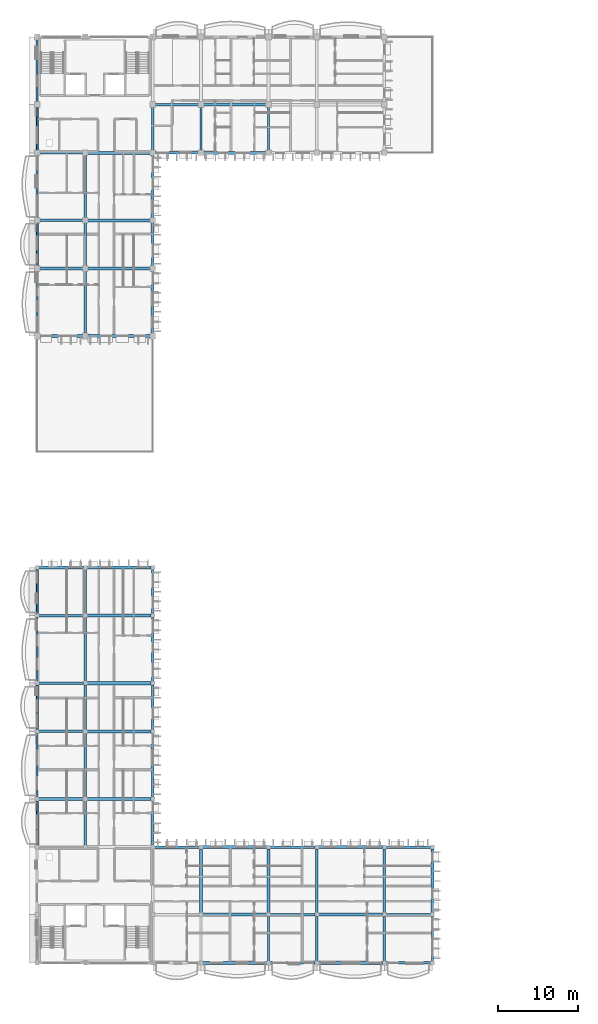
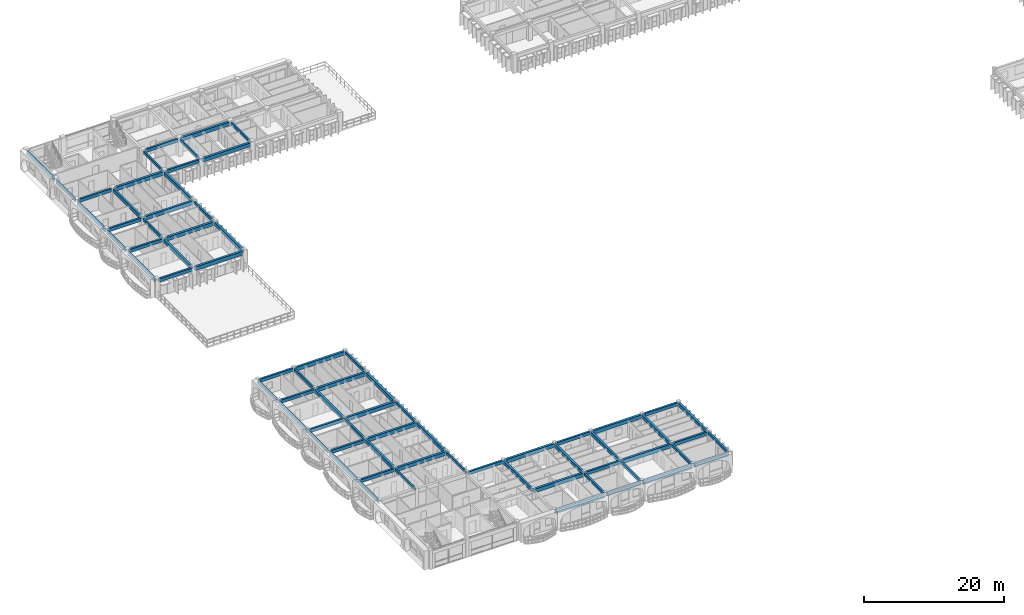
# One storey, part 4 of 66: 73 beams.
"""IFC4 building model written with IfcOpenShell, lengths in metres."""

import ifcopenshell
import ifcopenshell.guid

model = None  # the IFC model being written
_history = None  # IfcOwnerHistory: only IFC2X3 demands one
_inside = {}  # id of a spatial element -> (the spatial element, [elements in it])
_under = {}  # id of a project, library or spatial element -> (it, [spatial elements below it])
_declared = {}  # id of a project -> (the project, [libraries it declares])
_typed = {}  # id of a type object -> (the type object, [elements of that type])
_made_of = {}  # id of a material, layer set ... -> (it, [elements and type objects made of it])


def new_model(schema):
    """Start an empty IFC model of exactly this schema.

    Asked for "IFC4X3", IfcOpenShell would pick the latest addendum, in which some entities
    have other attributes; the version numbers below select the first issue.
    IFC2X3 requires an IfcOwnerHistory on every rooted entity: one is made here for all.
    """
    global model, _history
    if schema == "IFC4X3":
        model = ifcopenshell.file(schema_version=(4, 3, 0, 0))
    else:
        model = ifcopenshell.file(schema=schema)
    _inside.clear()
    _under.clear()
    _declared.clear()
    _typed.clear()
    _made_of.clear()
    _history = None
    if model.schema == "IFC2X3":
        org = make("IfcOrganization", Name="unknown")
        user = make(
            "IfcPersonAndOrganization",
            ThePerson=make("IfcPerson", FamilyName="unknown"),
            TheOrganization=org,
        )
        app = make(
            "IfcApplication",
            ApplicationDeveloper=org,
            Version="unknown",
            ApplicationFullName="unknown",
            ApplicationIdentifier="unknown",
        )
        _history = make(
            "IfcOwnerHistory",
            OwningUser=user,
            OwningApplication=app,
            ChangeAction="ADDED",
            CreationDate=0,
        )
    return model


def make(cls, **values):
    """One entity of the class cls with the attributes given. An attribute that is None is left unset."""
    return model.create_entity(
        cls, **{name: value for name, value in values.items() if value is not None}
    )


def rooted(cls, **values):
    """An entity with a GlobalId (a new one), such as an element, a storey or a relation."""
    return make(cls, GlobalId=ifcopenshell.guid.new(), OwnerHistory=_history, **values)


def si_unit(unit_type, name, prefix=None):
    """IfcSIUnit, for example si_unit("LENGTHUNIT", "METRE", prefix="MILLI")."""
    return make("IfcSIUnit", UnitType=unit_type, Prefix=prefix, Name=name)


def assignment(units):
    """IfcUnitAssignment: the units of a project."""
    return None if units is None else make("IfcUnitAssignment", Units=units)


def point(xyz):
    """IfcCartesianPoint."""
    return None if xyz is None else make("IfcCartesianPoint", Coordinates=xyz)


def direction(xyz):
    """IfcDirection."""
    return None if xyz is None else make("IfcDirection", DirectionRatios=xyz)


def frame(location, z_axis=None, x_axis=None):
    """IfcAxis2Placement3D, a coordinate frame: its origin and axes. An axis left out is left unset."""
    return make(
        "IfcAxis2Placement3D",
        Location=point(location),
        Axis=direction(z_axis),
        RefDirection=direction(x_axis),
    )


def frame_2d(location, x_axis=None):
    """IfcAxis2Placement2D, a coordinate frame in the plane: its origin and x axis."""
    return make(
        "IfcAxis2Placement2D", Location=point(location), RefDirection=direction(x_axis)
    )


def origin():
    """The frame at (0, 0, 0) with its axes left unset."""
    return frame((0.0, 0.0, 0.0))


def origin_2d():
    """The frame at (0, 0) in the plane with its x axis left unset."""
    return frame_2d((0.0, 0.0))


def place(relative_to, where):
    """IfcLocalPlacement: puts the frame where relative to a parent placement (None: the world)."""
    return make(
        "IfcLocalPlacement", PlacementRelTo=relative_to, RelativePlacement=where
    )


def context(
    kind, dimensions, precision=None, world=None, true_north=None, identifier=None
):
    """IfcGeometricRepresentationContext, for example the 3D "Model" context."""
    return make(
        "IfcGeometricRepresentationContext",
        ContextIdentifier=identifier,
        ContextType=kind,
        CoordinateSpaceDimension=dimensions,
        Precision=precision,
        WorldCoordinateSystem=world,
        TrueNorth=true_north,
    )


def subcontext(parent, identifier, kind, view, scale=None):
    """IfcGeometricRepresentationSubContext, for example "Body" below "Model"."""
    return make(
        "IfcGeometricRepresentationSubContext",
        ContextIdentifier=identifier,
        ContextType=kind,
        ParentContext=parent,
        TargetScale=scale,
        TargetView=view,
    )


def project(units=None, contexts=None):
    """IfcProject with its units and contexts."""
    return rooted(
        "IfcProject",
        Name="project",
        RepresentationContexts=contexts,
        UnitsInContext=assignment(units),
    )


def spatial(cls, under=None, at=None, **own):
    """A site, building, storey or space (cls), placed at a placement, below another one or the project."""
    s = rooted(cls, ObjectPlacement=at, **own)
    if under is not None:
        _under.setdefault(under.id(), (under, []))[1].append(s)
    return s


def profile(cls, at=None, kind="AREA", **sizes):
    """A parametric profile (cls). Its sizes go by their IFC names, for example OverallWidth=200.0."""
    return make(cls, ProfileType=kind, Position=at, **sizes)


def rectangle(**sizes):
    """IfcRectangleProfileDef."""
    return profile("IfcRectangleProfileDef", **sizes)


def extrude(swept, where, along, depth):
    """IfcExtrudedAreaSolid: the profile swept, set in the frame where, extruded along a direction by depth."""
    return make(
        "IfcExtrudedAreaSolid",
        SweptArea=swept,
        Position=where,
        ExtrudedDirection=direction(along),
        Depth=depth,
    )


def shape(context_of_items, identifier, shape_type, items):
    """IfcShapeRepresentation: the items that make up one representation, for example the "Body"."""
    return make(
        "IfcShapeRepresentation",
        ContextOfItems=context_of_items,
        RepresentationIdentifier=identifier,
        RepresentationType=shape_type,
        Items=items,
    )


def material(Name=None, Category=None):
    """IfcMaterial."""
    return make("IfcMaterial", Name=Name, Category=Category)


def material_profile(
    of_material, cross_section, Name=None, Category=None, Priority=None
):
    """IfcMaterialProfile: a cross section and its material."""
    return make(
        "IfcMaterialProfile",
        Name=Name,
        Material=of_material,
        Profile=cross_section,
        Priority=Priority,
        Category=Category,
    )


def profile_set(profiles, Name=None, composite=None):
    """IfcMaterialProfileSet."""
    return make(
        "IfcMaterialProfileSet",
        Name=Name,
        MaterialProfiles=profiles,
        CompositeProfile=composite,
    )


def made_of(thing, what):
    """Note that an element or type object is made of a material, layer set ...; save() writes the relation."""
    if what is not None:
        _made_of.setdefault(what.id(), (what, []))[1].append(thing)
    return thing


def type_object(cls, material=None, **own):
    """A type object (cls), such as IfcWallType, which elements share."""
    return made_of(rooted(cls, **own), material)


def element(
    cls,
    number,
    at=None,
    inside=None,
    cuts=None,
    type_object=None,
    material=None,
    context=None,
    identifier="Body",
    shape_type=None,
    held_by="IfcProductDefinitionShape",
    body=None,
    shapes=None,
    **own,
):
    """One element of the class cls, such as IfcWall. Its Tag is "e" and its number.

    at: its placement. inside: the storey or other place that contains it. cuts: it is an
    opening in that element (IfcRelVoidsElement). A single representation is given by context,
    identifier, shape_type and body (its items); several are given by shapes. held_by: the class
    of the entity that holds the representations. save() writes the other relations.
    """
    e = rooted(cls, Tag="e%d" % number, ObjectPlacement=at, **own)
    if body is not None:
        shapes = [shape(context, identifier, shape_type, body)]
    if shapes is not None:
        e.Representation = make(held_by, Representations=shapes)
    if inside is not None:
        _inside.setdefault(inside.id(), (inside, []))[1].append(e)
    if cuts is not None:
        rooted(
            "IfcRelVoidsElement", RelatingBuildingElement=cuts, RelatedOpeningElement=e
        )
    if type_object is not None:
        _typed.setdefault(type_object.id(), (type_object, []))[1].append(e)
    return made_of(e, material)


def aggregate(whole, parts):
    """IfcRelAggregates: a whole, such as a stair, and the parts it consists of."""
    return rooted("IfcRelAggregates", RelatingObject=whole, RelatedObjects=parts)


def save(model, path):
    """Write the relations noted so far, then the file.

    IfcRelAggregates (storeys below a building ...), IfcRelContainedInSpatialStructure (elements
    in a storey), IfcRelDefinesByType, IfcRelAssociatesMaterial and IfcRelDeclares: one each for
    every whole, place, type object, material and project.
    """
    for whole, parts in _under.values():
        aggregate(whole, parts)
    for where, things in _inside.values():
        rooted(
            "IfcRelContainedInSpatialStructure",
            RelatedElements=things,
            RelatingStructure=where,
        )
    for kind, things in _typed.values():
        rooted("IfcRelDefinesByType", RelatedObjects=things, RelatingType=kind)
    for what, things in _made_of.values():
        rooted("IfcRelAssociatesMaterial", RelatedObjects=things, RelatingMaterial=what)
    for by, libraries in _declared.values():
        rooted("IfcRelDeclares", RelatingContext=by, RelatedDefinitions=libraries)
    model.write(path)


model = new_model("IFC4")

# Units and contexts
model_context = context("Model", 3, precision=1e-05, world=origin(), true_north=direction((0.0, 1.0)))
body_context = subcontext(model_context, "Body", "Model", "MODEL_VIEW")
ifc_project = project(units=[si_unit("LENGTHUNIT", "METRE"), si_unit("AREAUNIT", "SQUARE_METRE"), si_unit("VOLUMEUNIT", "CUBIC_METRE"), si_unit("PLANEANGLEUNIT", "RADIAN"), si_unit("MASSUNIT", "GRAM", prefix="KILO"), si_unit("THERMODYNAMICTEMPERATUREUNIT", "KELVIN")], contexts=[model_context])

# Site, building, storey
site_placement = place(None, origin())
site = spatial("IfcSite", under=ifc_project, at=site_placement, CompositionType="ELEMENT")
building_placement = place(site_placement, origin())
building = spatial("IfcBuilding", under=site, at=building_placement, Name="Thalorik Housing Commons", CompositionType="ELEMENT")
storey_placement = place(building_placement, frame((0.0, 0.0, 21.300048828125)))
storey = spatial("IfcBuildingStorey", under=building, at=storey_placement, Name="L06", CompositionType="ELEMENT", Elevation=21.300048828125)

# Beams
ifc_material = material(Name="Precast concrete C40/50", Category="concrete")
ifc_material_profile_1 = material_profile(ifc_material, rectangle(XDim=0.280029296875, YDim=0.449951171875, at=origin_2d()), Name="PC 280x450", Category="concrete")
ifc_profile_set_1 = profile_set([ifc_material_profile_1], Name="Precast concrete C40/50")
beam_type_1 = type_object("IfcBeamType", Name="STR-BM-PC280x450", PredefinedType="BEAM", material=ifc_profile_set_1)
for number, where, z_axis, x_axis, name in (
    (1, (14.39990234375, 23.0, 2.81494140625), (0.0, 1.0, 0.0), (-1.0, 0.0, 0.0), "L06 Beam B-450"),
    (2, (14.39990234375, 37.39990234375, 2.81494140625), (0.0, 1.0, 0.0), (-1.0, 0.0, 0.0), "L06 Beam B-450"),
):
    element("IfcBeam", number, at=place(storey_placement, frame(where, z_axis=z_axis, x_axis=x_axis)), inside=storey, type_object=beam_type_1, Name=name, PredefinedType="BEAM", context=body_context, shape_type="SweptSolid", body=[
        extrude(rectangle(XDim=0.280029296875, YDim=0.449951171875, at=origin_2d()), origin(), (0.0, 0.0, 1.0), 5.60009765625),
    ])
beam_1_placement = place(storey_placement, frame((14.39990234375, 51.800048828125, 2.81494140625), z_axis=(0.0, 1.0, 0.0), x_axis=(-1.0, 0.0, 0.0)))
element("IfcBeam", 3, at=beam_1_placement, inside=storey, type_object=beam_type_1, Name="L06 Beam B-450", PredefinedType="BEAM", context=body_context, shape_type="SweptSolid", body=[
    extrude(rectangle(XDim=0.280029296875, YDim=0.449951171875, at=origin_2d()), origin(), (0.0, 0.0, 1.0), 5.599853515625),
])
beam_2_placement = place(storey_placement, frame((14.39990234375, 95.10009765625, 2.81494140625), z_axis=(0.0, 1.0, 0.0), x_axis=(-1.0, 0.0, 0.0)))
element("IfcBeam", 4, at=beam_2_placement, inside=storey, type_object=beam_type_1, Name="L06 Beam B-450", PredefinedType="BEAM", context=body_context, shape_type="SweptSolid", body=[
    extrude(rectangle(XDim=0.280029296875, YDim=0.449951171875, at=origin_2d()), origin(), (0.0, 0.0, 1.0), 5.39990234375),
])
for number, where, z_axis, x_axis, name in (
    (5, (22.800048828125, 23.0, 2.81494140625), (0.0, 1.0, 0.0), (-1.0, 0.0, 0.0), "L06 Beam B-450"),
    (6, (22.800048828125, 37.39990234375, 2.81494140625), (0.0, 1.0, 0.0), (-1.0, 0.0, 0.0), "L06 Beam B-450"),
):
    element("IfcBeam", number, at=place(storey_placement, frame(where, z_axis=z_axis, x_axis=x_axis)), inside=storey, type_object=beam_type_1, Name=name, PredefinedType="BEAM", context=body_context, shape_type="SweptSolid", body=[
        extrude(rectangle(XDim=0.280029296875, YDim=0.449951171875, at=origin_2d()), origin(), (0.0, 0.0, 1.0), 5.60009765625),
    ])
beam_3_placement = place(storey_placement, frame((22.800048828125, 51.800048828125, 2.81494140625), z_axis=(0.0, 1.0, 0.0), x_axis=(-1.0, 0.0, 0.0)))
element("IfcBeam", 7, at=beam_3_placement, inside=storey, type_object=beam_type_1, Name="L06 Beam B-450", PredefinedType="BEAM", context=body_context, shape_type="SweptSolid", body=[
    extrude(rectangle(XDim=0.280029296875, YDim=0.449951171875, at=origin_2d()), origin(), (0.0, 0.0, 1.0), 5.599853515625),
])
for number, where, z_axis, x_axis, name in (
    (8, (22.800048828125, 95.10009765625, 2.81494140625), (0.0, 1.0, 0.0), (-1.0, 0.0, 0.0), "L06 Beam B-450"),
    (9, (22.800048828125, 109.5, 2.81494140625), (0.0, 1.0, 0.0), (-1.0, 0.0, 0.0), "L06 Beam B-450"),
    (10, (28.800048828125, 109.5, 2.81494140625), (0.0, 1.0, 0.0), (-1.0, 0.0, 0.0), "L06 Beam B-450"),
):
    element("IfcBeam", number, at=place(storey_placement, frame(where, z_axis=z_axis, x_axis=x_axis)), inside=storey, type_object=beam_type_1, Name=name, PredefinedType="BEAM", context=body_context, shape_type="SweptSolid", body=[
        extrude(rectangle(XDim=0.280029296875, YDim=0.449951171875, at=origin_2d()), origin(), (0.0, 0.0, 1.0), 5.39990234375),
    ])
beam_4_placement = place(storey_placement, frame((37.199951171875, 8.60009765625, 2.81494140625), z_axis=(0.0, 1.0, 0.0), x_axis=(-1.0, 0.0, 0.0)))
element("IfcBeam", 11, at=beam_4_placement, inside=storey, type_object=beam_type_1, Name="L06 Beam B-450", PredefinedType="BEAM", context=body_context, shape_type="SweptSolid", body=[
    extrude(rectangle(XDim=0.280029296875, YDim=0.449951171875, at=origin_2d()), origin(), (0.0, 0.0, 1.0), 5.599853515625),
])
beam_5_placement = place(storey_placement, frame((37.199951171875, 109.5, 2.81494140625), z_axis=(0.0, 1.0, 0.0), x_axis=(-1.0, 0.0, 0.0)))
element("IfcBeam", 12, at=beam_5_placement, inside=storey, type_object=beam_type_1, Name="L06 Beam B-450", PredefinedType="BEAM", context=body_context, shape_type="SweptSolid", body=[
    extrude(rectangle(XDim=0.280029296875, YDim=0.449951171875, at=origin_2d()), origin(), (0.0, 0.0, 1.0), 5.39990234375),
])
for number, where, z_axis, x_axis, name in (
    (13, (43.199951171875, 8.60009765625, 2.81494140625), (0.0, 1.0, 0.0), (-1.0, 0.0, 0.0), "L06 Beam B-450"),
    (14, (51.60009765625, 8.60009765625, 2.81494140625), (0.0, 1.0, 0.0), (-1.0, 0.0, 0.0), "L06 Beam B-450"),
    (15, (57.60009765625, 8.60009765625, 2.81494140625), (0.0, 1.0, 0.0), (-1.0, 0.0, 0.0), "L06 Beam B-450"),
):
    element("IfcBeam", number, at=place(storey_placement, frame(where, z_axis=z_axis, x_axis=x_axis)), inside=storey, type_object=beam_type_1, Name=name, PredefinedType="BEAM", context=body_context, shape_type="SweptSolid", body=[
        extrude(rectangle(XDim=0.280029296875, YDim=0.449951171875, at=origin_2d()), origin(), (0.0, 0.0, 1.0), 5.599853515625),
    ])
ifc_material_profile_2 = material_profile(ifc_material, rectangle(XDim=0.320068359375, YDim=0.550048828125, at=origin_2d()), Name="PC 320x550", Category="concrete")
ifc_profile_set_2 = profile_set([ifc_material_profile_2], Name="Precast concrete C40/50")
beam_type_2 = type_object("IfcBeamType", Name="STR-BM-PC320x550", PredefinedType="BEAM", material=ifc_profile_set_2)
beam_6_placement = place(storey_placement, frame((37.39990234375, 8.39990234375, 2.764892578125), z_axis=(1.0, 0.0, 0.0), x_axis=(0.0, 1.0, 0.0)))
element("IfcBeam", 16, at=beam_6_placement, inside=storey, type_object=beam_type_2, Name="L06 Beam B-550", PredefinedType="BEAM", context=body_context, shape_type="SweptSolid", body=[
    extrude(rectangle(XDim=0.320068359375, YDim=0.550048828125, at=origin_2d()), origin(), (0.0, 0.0, 1.0), 5.60009765625),
])
beam_7_placement = place(storey_placement, frame((51.800048828125, 8.39990234375, 2.764892578125), z_axis=(1.0, 0.0, 0.0), x_axis=(0.0, 1.0, 0.0)))
element("IfcBeam", 17, at=beam_7_placement, inside=storey, type_object=beam_type_2, Name="L06 Beam B-550", PredefinedType="BEAM", context=body_context, shape_type="SweptSolid", body=[
    extrude(rectangle(XDim=0.320068359375, YDim=0.550048828125, at=origin_2d()), origin(), (0.0, 0.0, 1.0), 5.599853515625),
])
beam_8_placement = place(storey_placement, frame((37.39990234375, 14.39990234375, 2.764892578125), z_axis=(1.0, 0.0, 0.0), x_axis=(0.0, 1.0, 0.0)))
element("IfcBeam", 18, at=beam_8_placement, inside=storey, type_object=beam_type_2, Name="L06 Beam B-550", PredefinedType="BEAM", context=body_context, shape_type="SweptSolid", body=[
    extrude(rectangle(XDim=0.320068359375, YDim=0.550048828125, at=origin_2d()), origin(), (0.0, 0.0, 1.0), 5.60009765625),
])
beam_9_placement = place(storey_placement, frame((51.800048828125, 14.39990234375, 2.764892578125), z_axis=(1.0, 0.0, 0.0), x_axis=(0.0, 1.0, 0.0)))
element("IfcBeam", 19, at=beam_9_placement, inside=storey, type_object=beam_type_2, Name="L06 Beam B-550", PredefinedType="BEAM", context=body_context, shape_type="SweptSolid", body=[
    extrude(rectangle(XDim=0.320068359375, YDim=0.550048828125, at=origin_2d()), origin(), (0.0, 0.0, 1.0), 5.599853515625),
])
for number, where, z_axis, x_axis, name in (
    (20, (23.0, 22.800048828125, 2.764892578125), (1.0, 0.0, 0.0), (0.0, 1.0, 0.0), "L06 Beam B-550"),
    (21, (37.39990234375, 22.800048828125, 2.764892578125), (1.0, 0.0, 0.0), (0.0, 1.0, 0.0), "L06 Beam B-550"),
):
    element("IfcBeam", number, at=place(storey_placement, frame(where, z_axis=z_axis, x_axis=x_axis)), inside=storey, type_object=beam_type_2, Name=name, PredefinedType="BEAM", context=body_context, shape_type="SweptSolid", body=[
        extrude(rectangle(XDim=0.320068359375, YDim=0.550048828125, at=origin_2d()), origin(), (0.0, 0.0, 1.0), 5.60009765625),
    ])
for number, where, z_axis, x_axis, name in (
    (22, (51.800048828125, 22.800048828125, 2.764892578125), (1.0, 0.0, 0.0), (0.0, 1.0, 0.0), "L06 Beam B-550"),
    (23, (8.60009765625, 28.800048828125, 2.764892578125), (1.0, 0.0, 0.0), (0.0, 1.0, 0.0), "L06 Beam B-550"),
    (24, (8.60009765625, 37.199951171875, 2.764892578125), (1.0, 0.0, 0.0), (0.0, 1.0, 0.0), "L06 Beam B-550"),
    (25, (8.60009765625, 43.199951171875, 2.764892578125), (1.0, 0.0, 0.0), (0.0, 1.0, 0.0), "L06 Beam B-550"),
    (26, (8.60009765625, 51.60009765625, 2.764892578125), (1.0, 0.0, 0.0), (0.0, 1.0, 0.0), "L06 Beam B-550"),
    (27, (8.60009765625, 57.60009765625, 2.764892578125), (1.0, 0.0, 0.0), (0.0, 1.0, 0.0), "L06 Beam B-550"),
):
    element("IfcBeam", number, at=place(storey_placement, frame(where, z_axis=z_axis, x_axis=x_axis)), inside=storey, type_object=beam_type_2, Name=name, PredefinedType="BEAM", context=body_context, shape_type="SweptSolid", body=[
        extrude(rectangle(XDim=0.320068359375, YDim=0.550048828125, at=origin_2d()), origin(), (0.0, 0.0, 1.0), 5.599853515625),
    ])
for number, where, z_axis, x_axis, name in (
    (28, (8.699951171875, 86.39990234375, 2.764892578125), (1.0, 0.0, 0.0), (0.0, 1.0, 0.0), "L06 Beam B-550"),
    (29, (8.699951171875, 94.800048828125, 2.764892578125), (1.0, 0.0, 0.0), (0.0, 1.0, 0.0), "L06 Beam B-550"),
    (30, (8.699951171875, 100.800048828125, 2.764892578125), (1.0, 0.0, 0.0), (0.0, 1.0, 0.0), "L06 Beam B-550"),
    (31, (8.699951171875, 109.199951171875, 2.764892578125), (1.0, 0.0, 0.0), (0.0, 1.0, 0.0), "L06 Beam B-550"),
):
    element("IfcBeam", number, at=place(storey_placement, frame(where, z_axis=z_axis, x_axis=x_axis)), inside=storey, type_object=beam_type_2, Name=name, PredefinedType="BEAM", context=body_context, shape_type="SweptSolid", body=[
        extrude(rectangle(XDim=0.320068359375, YDim=0.550048828125, at=origin_2d()), origin(), (0.0, 0.0, 1.0), 5.400146484375),
    ])
for number, where, z_axis, x_axis, name in (
    (32, (23.10009765625, 109.199951171875, 2.764892578125), (1.0, 0.0, 0.0), (0.0, 1.0, 0.0), "L06 Beam B-550"),
    (33, (23.10009765625, 115.199951171875, 2.764892578125), (1.0, 0.0, 0.0), (0.0, 1.0, 0.0), "L06 Beam B-550"),
):
    element("IfcBeam", number, at=place(storey_placement, frame(where, z_axis=z_axis, x_axis=x_axis)), inside=storey, type_object=beam_type_2, Name=name, PredefinedType="BEAM", context=body_context, shape_type="SweptSolid", body=[
        extrude(rectangle(XDim=0.320068359375, YDim=0.550048828125, at=origin_2d()), origin(), (0.0, 0.0, 1.0), 5.39990234375),
    ])
ifc_material_profile_3 = material_profile(ifc_material, rectangle(XDim=0.35009765625, YDim=0.60009765625, at=origin_2d()), Name="PC 350x600", Category="concrete")
ifc_profile_set_3 = profile_set([ifc_material_profile_3], Name="Precast concrete C40/50")
beam_type_3 = type_object("IfcBeamType", Name="STR-BM-PC350x600", PredefinedType="BEAM", material=ifc_profile_set_3)
for number, where, z_axis, x_axis, name in (
    (34, (14.39990234375, 29.0, 2.739990234375), (0.0, 1.0, 0.0), (-1.0, 0.0, 0.0), "L06 Beam B-600"),
    (35, (14.39990234375, 43.39990234375, 2.739990234375), (0.0, 1.0, 0.0), (-1.0, 0.0, 0.0), "L06 Beam B-600"),
):
    element("IfcBeam", number, at=place(storey_placement, frame(where, z_axis=z_axis, x_axis=x_axis)), inside=storey, type_object=beam_type_3, Name=name, PredefinedType="BEAM", context=body_context, shape_type="SweptSolid", body=[
        extrude(rectangle(XDim=0.35009765625, YDim=0.60009765625, at=origin_2d()), origin(), (0.0, 0.0, 1.0), 8.0),
    ])
beam_10_placement = place(storey_placement, frame((14.39990234375, 86.699951171875, 2.739990234375), z_axis=(0.0, 1.0, 0.0), x_axis=(-1.0, 0.0, 0.0)))
element("IfcBeam", 36, at=beam_10_placement, inside=storey, type_object=beam_type_3, Name="L06 Beam B-600", PredefinedType="BEAM", context=body_context, shape_type="SweptSolid", body=[
    extrude(rectangle(XDim=0.35009765625, YDim=0.60009765625, at=origin_2d()), origin(), (0.0, 0.0, 1.0), 7.800048828125),
])
beam_11_placement = place(storey_placement, frame((14.39990234375, 101.10009765625, 2.739990234375), z_axis=(0.0, 1.0, 0.0), x_axis=(-1.0, 0.0, 0.0)))
element("IfcBeam", 37, at=beam_11_placement, inside=storey, type_object=beam_type_3, Name="L06 Beam B-600", PredefinedType="BEAM", context=body_context, shape_type="SweptSolid", body=[
    extrude(rectangle(XDim=0.35009765625, YDim=0.60009765625, at=origin_2d()), origin(), (0.0, 0.0, 1.0), 7.7998046875),
])
for number, where, z_axis, x_axis, name in (
    (38, (22.800048828125, 29.0, 2.739990234375), (0.0, 1.0, 0.0), (-1.0, 0.0, 0.0), "L06 Beam B-600"),
    (39, (22.800048828125, 43.39990234375, 2.739990234375), (0.0, 1.0, 0.0), (-1.0, 0.0, 0.0), "L06 Beam B-600"),
):
    element("IfcBeam", number, at=place(storey_placement, frame(where, z_axis=z_axis, x_axis=x_axis)), inside=storey, type_object=beam_type_3, Name=name, PredefinedType="BEAM", context=body_context, shape_type="SweptSolid", body=[
        extrude(rectangle(XDim=0.35009765625, YDim=0.60009765625, at=origin_2d()), origin(), (0.0, 0.0, 1.0), 8.0),
    ])
beam_12_placement = place(storey_placement, frame((22.800048828125, 86.699951171875, 2.739990234375), z_axis=(0.0, 1.0, 0.0), x_axis=(-1.0, 0.0, 0.0)))
element("IfcBeam", 40, at=beam_12_placement, inside=storey, type_object=beam_type_3, Name="L06 Beam B-600", PredefinedType="BEAM", context=body_context, shape_type="SweptSolid", body=[
    extrude(rectangle(XDim=0.35009765625, YDim=0.60009765625, at=origin_2d()), origin(), (0.0, 0.0, 1.0), 7.800048828125),
])
beam_13_placement = place(storey_placement, frame((22.800048828125, 101.10009765625, 2.739990234375), z_axis=(0.0, 1.0, 0.0), x_axis=(-1.0, 0.0, 0.0)))
element("IfcBeam", 41, at=beam_13_placement, inside=storey, type_object=beam_type_3, Name="L06 Beam B-600", PredefinedType="BEAM", context=body_context, shape_type="SweptSolid", body=[
    extrude(rectangle(XDim=0.35009765625, YDim=0.60009765625, at=origin_2d()), origin(), (0.0, 0.0, 1.0), 7.7998046875),
])
for number, where, z_axis, x_axis, name in (
    (42, (28.800048828125, 14.60009765625, 2.739990234375), (0.0, 1.0, 0.0), (-1.0, 0.0, 0.0), "L06 Beam B-600"),
    (43, (37.199951171875, 14.60009765625, 2.739990234375), (0.0, 1.0, 0.0), (-1.0, 0.0, 0.0), "L06 Beam B-600"),
    (44, (43.199951171875, 14.60009765625, 2.739990234375), (0.0, 1.0, 0.0), (-1.0, 0.0, 0.0), "L06 Beam B-600"),
    (45, (51.60009765625, 14.60009765625, 2.739990234375), (0.0, 1.0, 0.0), (-1.0, 0.0, 0.0), "L06 Beam B-600"),
    (46, (57.60009765625, 14.60009765625, 2.739990234375), (0.0, 1.0, 0.0), (-1.0, 0.0, 0.0), "L06 Beam B-600"),
):
    element("IfcBeam", number, at=place(storey_placement, frame(where, z_axis=z_axis, x_axis=x_axis)), inside=storey, type_object=beam_type_3, Name=name, PredefinedType="BEAM", context=body_context, shape_type="SweptSolid", body=[
        extrude(rectangle(XDim=0.35009765625, YDim=0.60009765625, at=origin_2d()), origin(), (0.0, 0.0, 1.0), 8.0),
    ])
ifc_material_profile_4 = material_profile(ifc_material, rectangle(XDim=0.3798828125, YDim=0.64990234375, at=origin_2d()), Name="PC 380x650", Category="concrete")
ifc_profile_set_4 = profile_set([ifc_material_profile_4], Name="Precast concrete C40/50")
beam_type_4 = type_object("IfcBeamType", Name="STR-BM-PC380x650", PredefinedType="BEAM", material=ifc_profile_set_4)
for number, where, z_axis, x_axis, name in (
    (47, (29.0, 8.39990234375, 2.71484375), (1.0, 0.0, 0.0), (0.0, 1.0, 0.0), "L06 Beam B-650"),
    (48, (43.39990234375, 8.39990234375, 2.71484375), (1.0, 0.0, 0.0), (0.0, 1.0, 0.0), "L06 Beam B-650"),
    (49, (29.0, 14.39990234375, 2.71484375), (1.0, 0.0, 0.0), (0.0, 1.0, 0.0), "L06 Beam B-650"),
    (50, (43.39990234375, 14.39990234375, 2.71484375), (1.0, 0.0, 0.0), (0.0, 1.0, 0.0), "L06 Beam B-650"),
    (51, (29.0, 22.800048828125, 2.71484375), (1.0, 0.0, 0.0), (0.0, 1.0, 0.0), "L06 Beam B-650"),
    (52, (43.39990234375, 22.800048828125, 2.71484375), (1.0, 0.0, 0.0), (0.0, 1.0, 0.0), "L06 Beam B-650"),
    (53, (14.60009765625, 28.800048828125, 2.71484375), (1.0, 0.0, 0.0), (0.0, 1.0, 0.0), "L06 Beam B-650"),
    (54, (14.60009765625, 37.199951171875, 2.71484375), (1.0, 0.0, 0.0), (0.0, 1.0, 0.0), "L06 Beam B-650"),
    (55, (14.60009765625, 43.199951171875, 2.71484375), (1.0, 0.0, 0.0), (0.0, 1.0, 0.0), "L06 Beam B-650"),
    (56, (14.60009765625, 51.60009765625, 2.71484375), (1.0, 0.0, 0.0), (0.0, 1.0, 0.0), "L06 Beam B-650"),
    (57, (14.60009765625, 57.60009765625, 2.71484375), (1.0, 0.0, 0.0), (0.0, 1.0, 0.0), "L06 Beam B-650"),
):
    element("IfcBeam", number, at=place(storey_placement, frame(where, z_axis=z_axis, x_axis=x_axis)), inside=storey, type_object=beam_type_4, Name=name, PredefinedType="BEAM", context=body_context, shape_type="SweptSolid", body=[
        extrude(rectangle(XDim=0.3798828125, YDim=0.64990234375, at=origin_2d()), origin(), (0.0, 0.0, 1.0), 8.0),
    ])
for number, where, z_axis, x_axis, name in (
    (58, (14.699951171875, 86.39990234375, 2.71484375), (1.0, 0.0, 0.0), (0.0, 1.0, 0.0), "L06 Beam B-650"),
    (59, (14.699951171875, 94.800048828125, 2.71484375), (1.0, 0.0, 0.0), (0.0, 1.0, 0.0), "L06 Beam B-650"),
    (60, (14.699951171875, 100.800048828125, 2.71484375), (1.0, 0.0, 0.0), (0.0, 1.0, 0.0), "L06 Beam B-650"),
    (61, (14.699951171875, 109.199951171875, 2.71484375), (1.0, 0.0, 0.0), (0.0, 1.0, 0.0), "L06 Beam B-650"),
):
    element("IfcBeam", number, at=place(storey_placement, frame(where, z_axis=z_axis, x_axis=x_axis)), inside=storey, type_object=beam_type_4, Name=name, PredefinedType="BEAM", context=body_context, shape_type="SweptSolid", body=[
        extrude(rectangle(XDim=0.3798828125, YDim=0.64990234375, at=origin_2d()), origin(), (0.0, 0.0, 1.0), 7.800048828125),
    ])
for number, where, z_axis, x_axis, name in (
    (62, (29.10009765625, 109.199951171875, 2.71484375), (1.0, 0.0, 0.0), (0.0, 1.0, 0.0), "L06 Beam B-650"),
    (63, (29.10009765625, 115.199951171875, 2.71484375), (1.0, 0.0, 0.0), (0.0, 1.0, 0.0), "L06 Beam B-650"),
):
    element("IfcBeam", number, at=place(storey_placement, frame(where, z_axis=z_axis, x_axis=x_axis)), inside=storey, type_object=beam_type_4, Name=name, PredefinedType="BEAM", context=body_context, shape_type="SweptSolid", body=[
        extrude(rectangle(XDim=0.3798828125, YDim=0.64990234375, at=origin_2d()), origin(), (0.0, 0.0, 1.0), 7.7998046875),
    ])
ifc_material_profile_5 = material_profile(ifc_material, rectangle(XDim=0.239990234375, YDim=0.580078125, at=origin_2d()), Name="PC SP 240x580", Category="concrete")
ifc_profile_set_5 = profile_set([ifc_material_profile_5], Name="Precast concrete C40/50")
beam_type_5 = type_object("IfcBeamType", Name="STR-SP-PC240x580", PredefinedType="SPANDREL", material=ifc_profile_set_5)
for number, where, z_axis, x_axis, name in (
    (64, (8.39990234375, 23.0, 2.75), (0.0, 1.0, 0.0), (-1.0, 0.0, 0.0), "L06 Beam B-450"),
    (65, (8.39990234375, 37.39990234375, 2.75), (0.0, 1.0, 0.0), (-1.0, 0.0, 0.0), "L06 Beam B-450"),
):
    element("IfcBeam", number, at=place(storey_placement, frame(where, z_axis=z_axis, x_axis=x_axis)), inside=storey, type_object=beam_type_5, Name=name, PredefinedType="SPANDREL", context=body_context, shape_type="SweptSolid", body=[
        extrude(rectangle(XDim=0.239990234375, YDim=0.580078125, at=origin_2d()), origin(), (0.0, 0.0, 1.0), 5.60009765625),
    ])
beam_14_placement = place(storey_placement, frame((8.39990234375, 51.800048828125, 2.75), z_axis=(0.0, 1.0, 0.0), x_axis=(-1.0, 0.0, 0.0)))
element("IfcBeam", 66, at=beam_14_placement, inside=storey, type_object=beam_type_5, Name="L06 Beam B-450", PredefinedType="SPANDREL", context=body_context, shape_type="SweptSolid", body=[
    extrude(rectangle(XDim=0.239990234375, YDim=0.580078125, at=origin_2d()), origin(), (0.0, 0.0, 1.0), 5.599853515625),
])
for number, where, z_axis, x_axis, name in (
    (67, (8.39990234375, 95.10009765625, 2.75), (0.0, 1.0, 0.0), (-1.0, 0.0, 0.0), "L06 Beam B-450"),
    (68, (8.39990234375, 109.5, 2.75), (0.0, 1.0, 0.0), (-1.0, 0.0, 0.0), "L06 Beam B-450"),
):
    element("IfcBeam", number, at=place(storey_placement, frame(where, z_axis=z_axis, x_axis=x_axis)), inside=storey, type_object=beam_type_5, Name=name, PredefinedType="SPANDREL", context=body_context, shape_type="SweptSolid", body=[
        extrude(rectangle(XDim=0.239990234375, YDim=0.580078125, at=origin_2d()), origin(), (0.0, 0.0, 1.0), 5.39990234375),
    ])
ifc_material_profile_6 = material_profile(ifc_material, rectangle(XDim=0.260009765625, YDim=0.679931640625, at=origin_2d()), Name="PC SP 260x680", Category="concrete")
ifc_profile_set_6 = profile_set([ifc_material_profile_6], Name="Precast concrete C40/50")
beam_type_6 = type_object("IfcBeamType", Name="STR-SP-PC260x680", PredefinedType="SPANDREL", material=ifc_profile_set_6)
for number, where, z_axis, x_axis, name in (
    (69, (8.39990234375, 29.0, 2.699951171875), (0.0, 1.0, 0.0), (-1.0, 0.0, 0.0), "L06 Beam B-600"),
    (70, (8.39990234375, 43.39990234375, 2.699951171875), (0.0, 1.0, 0.0), (-1.0, 0.0, 0.0), "L06 Beam B-600"),
):
    element("IfcBeam", number, at=place(storey_placement, frame(where, z_axis=z_axis, x_axis=x_axis)), inside=storey, type_object=beam_type_6, Name=name, PredefinedType="SPANDREL", context=body_context, shape_type="SweptSolid", body=[
        extrude(rectangle(XDim=0.260009765625, YDim=0.679931640625, at=origin_2d()), origin(), (0.0, 0.0, 1.0), 8.0),
    ])
beam_15_placement = place(storey_placement, frame((8.39990234375, 86.699951171875, 2.699951171875), z_axis=(0.0, 1.0, 0.0), x_axis=(-1.0, 0.0, 0.0)))
element("IfcBeam", 71, at=beam_15_placement, inside=storey, type_object=beam_type_6, Name="L06 Beam B-600", PredefinedType="SPANDREL", context=body_context, shape_type="SweptSolid", body=[
    extrude(rectangle(XDim=0.260009765625, YDim=0.679931640625, at=origin_2d()), origin(), (0.0, 0.0, 1.0), 7.800048828125),
])
beam_16_placement = place(storey_placement, frame((8.39990234375, 101.10009765625, 2.699951171875), z_axis=(0.0, 1.0, 0.0), x_axis=(-1.0, 0.0, 0.0)))
element("IfcBeam", 72, at=beam_16_placement, inside=storey, type_object=beam_type_6, Name="L06 Beam B-600", PredefinedType="SPANDREL", context=body_context, shape_type="SweptSolid", body=[
    extrude(rectangle(XDim=0.260009765625, YDim=0.679931640625, at=origin_2d()), origin(), (0.0, 0.0, 1.0), 7.7998046875),
])
beam_17_placement = place(storey_placement, frame((8.39990234375, 115.5, 2.699951171875), z_axis=(0.0, 1.0, 0.0), x_axis=(-1.0, 0.0, 0.0)))
element("IfcBeam", 73, at=beam_17_placement, inside=storey, type_object=beam_type_6, Name="L06 Beam B-600", PredefinedType="SPANDREL", context=body_context, shape_type="SweptSolid", body=[
    extrude(rectangle(XDim=0.260009765625, YDim=0.679931640625, at=origin_2d()), origin(), (0.0, 0.0, 1.0), 7.800048828125),
])

save(model, "model.ifc")
